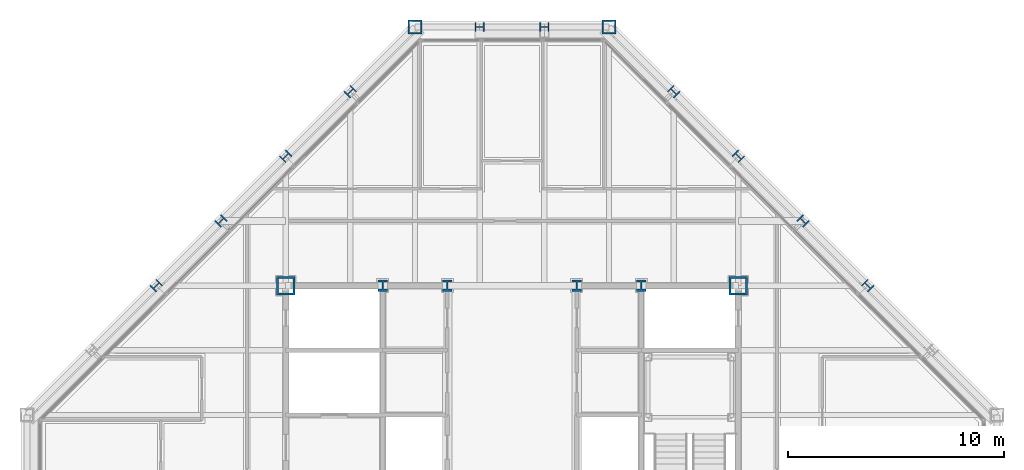
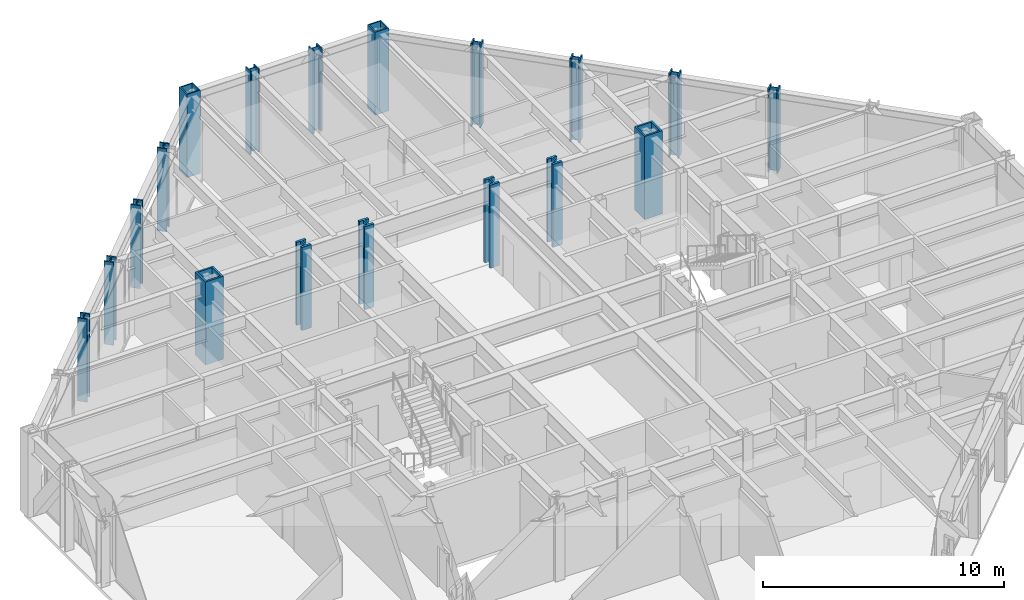
# One storey, part 4 of 15: 18 columns.
"""IFC4 building model written with IfcOpenShell, lengths in metres."""

from ifc_helpers import new_model, si_unit, direction, frame, origin, origin_2d, place, context, subcontext, project, spatial, hollow_rectangle, i_section, extrude, material, material_profile, profile_set, type_object, element, save


model = new_model("IFC4")

# Units and contexts
model_context = context("Model", 3, precision=1e-05, world=origin(), true_north=direction((0.0, 1.0)))
body_context = subcontext(model_context, "Body", "Model", "MODEL_VIEW")
ifc_project = project(units=[si_unit("LENGTHUNIT", "METRE"), si_unit("AREAUNIT", "SQUARE_METRE"), si_unit("VOLUMEUNIT", "CUBIC_METRE"), si_unit("PLANEANGLEUNIT", "RADIAN"), si_unit("MASSUNIT", "GRAM", prefix="KILO")], contexts=[model_context])

# Site, building, storey
site_placement = place(None, origin())
site = spatial("IfcSite", under=ifc_project, at=site_placement, CompositionType="ELEMENT")
building_placement = place(site_placement, origin())
building = spatial("IfcBuilding", under=site, at=building_placement, Name="Chuquiago Exchange Tower", CompositionType="ELEMENT")
storey_placement = place(building_placement, frame((0.0, 0.0, 266.39990234375)))
storey = spatial("IfcBuildingStorey", under=building, at=storey_placement, Name="L59", CompositionType="ELEMENT", Elevation=266.39990234375)

# Columns
ifc_material_1 = material(Name="Steel ASTM A992", Category="steel")
ifc_material_profile_1 = material_profile(ifc_material_1, i_section(OverallWidth=0.411376953125, OverallDepth=0.434326171875, WebThickness=0.035888671875, FlangeThickness=0.057373046875, at=origin_2d()), Name="W14X311")
ifc_profile_set_1 = profile_set([ifc_material_profile_1], Name="Steel ASTM A992")
column_type_1 = type_object("IfcColumnType", Name="C5 W14X311", PredefinedType="COLUMN", material=ifc_profile_set_1)
for number, where, z_axis, x_axis, name in (
    (1, (24.0, 45.0, 0.0), (0.0, 0.0, 1.0), (0.0, 1.0, 0.0), "COL-L59-24_45"),
    (2, (21.0, 45.0, 0.0), (0.0, 0.0, 1.0), (0.0, 1.0, 0.0), "COL-L59-21_45"),
):
    element("IfcColumn", number, at=place(storey_placement, frame(where, z_axis=z_axis, x_axis=x_axis)), inside=storey, type_object=column_type_1, Name=name, PredefinedType="COLUMN", context=body_context, shape_type="SweptSolid", body=[
        extrude(i_section(OverallWidth=0.411376953125, OverallDepth=0.434326171875, WebThickness=0.035888671875, FlangeThickness=0.057373046875, at=origin_2d()), origin(), (0.0, 0.0, 1.0), 4.2001953125),
    ])
ifc_material_2 = material(Name="Steel ASTM A992", Category="steel")
ifc_material_profile_2 = material_profile(ifc_material_2, i_section(OverallWidth=0.449462890625, OverallDepth=0.548583984375, WebThickness=0.07177734375, FlangeThickness=0.11474609375, at=origin_2d()), Name="W14X665")
ifc_profile_set_2 = profile_set([ifc_material_profile_2], Name="Steel ASTM A992")
column_type_2 = type_object("IfcColumnType", Name="CC5 W14X665", PredefinedType="COLUMN", material=ifc_profile_set_2)
for number, where, z_axis, x_axis, name in (
    (3, (16.5, 33.0, 0.0), (0.0, 0.0, 1.0), (1.0, 0.0, 0.0), "CCOL-L59-16.5_33"),
    (4, (19.5, 33.0, 0.0), (0.0, 0.0, 1.0), (1.0, 0.0, 0.0), "CCOL-L59-19.5_33"),
    (5, (25.5, 33.0, 0.0), (0.0, 0.0, 1.0), (1.0, 0.0, 0.0), "CCOL-L59-25.5_33"),
    (6, (28.5, 33.0, 0.0), (0.0, 0.0, 1.0), (1.0, 0.0, 0.0), "CCOL-L59-28.5_33"),
):
    element("IfcColumn", number, at=place(storey_placement, frame(where, z_axis=z_axis, x_axis=x_axis)), inside=storey, type_object=column_type_2, Name=name, PredefinedType="COLUMN", context=body_context, shape_type="SweptSolid", body=[
        extrude(i_section(OverallWidth=0.449462890625, OverallDepth=0.548583984375, WebThickness=0.07177734375, FlangeThickness=0.11474609375, at=origin_2d()), origin(), (0.0, 0.0, 1.0), 4.2001953125),
    ])
ifc_material_3 = material(Name="Steel ASTM A572 Grade 50", Category="steel")
ifc_material_profile_3 = material_profile(ifc_material_3, hollow_rectangle(XDim=0.85009765625, YDim=0.85009765625, WallThickness=0.0849609375, at=origin_2d()), Name="BOX850X850X85")
ifc_profile_set_3 = profile_set([ifc_material_profile_3], Name="Steel ASTM A572 Grade 50")
column_type_3 = type_object("IfcColumnType", Name="CC6 BOX850X850X85", PredefinedType="COLUMN", material=ifc_profile_set_3)
for number, where, z_axis, x_axis, name in (
    (7, (12.0, 33.0, 0.0), (0.0, 0.0, 1.0), (1.0, 0.0, 0.0), "CCOL-L59-12_33"),
    (8, (33.0, 33.0, 0.0), (0.0, 0.0, 1.0), (1.0, 0.0, 0.0), "CCOL-L59-33_33"),
):
    element("IfcColumn", number, at=place(storey_placement, frame(where, z_axis=z_axis, x_axis=x_axis)), inside=storey, type_object=column_type_3, Name=name, PredefinedType="COLUMN", context=body_context, shape_type="SweptSolid", body=[
        extrude(hollow_rectangle(XDim=0.85009765625, YDim=0.85009765625, WallThickness=0.0849609375, at=origin_2d()), origin(), (0.0, 0.0, 1.0), 4.2001953125),
    ])
ifc_material_4 = material(Name="Steel ASTM A992", Category="steel")
ifc_material_profile_4 = material_profile(ifc_material_4, i_section(OverallWidth=0.41650390625, OverallDepth=0.444580078125, WebThickness=0.0390625, FlangeThickness=0.062744140625, at=origin_2d()), Name="W14X342")
ifc_profile_set_4 = profile_set([ifc_material_profile_4], Name="Steel ASTM A992")
column_type_4 = type_object("IfcColumnType", Name="CK5 W14X342", PredefinedType="COLUMN", material=ifc_profile_set_4)
for number, where, z_axis, x_axis, name in (
    (9, (39.0, 33.0, 0.0), (0.0, 0.0, 1.0), (0.707106781187, 0.707106781187, 0.0), "COL-L59-39_33"),
    (10, (36.0, 36.0, 0.0), (0.0, 0.0, 1.0), (0.707106781187, 0.707106781187, 0.0), "COL-L59-36_36"),
    (11, (33.0, 39.0, 0.0), (0.0, 0.0, 1.0), (0.707106781187, 0.707106781187, 0.0), "COL-L59-33_39"),
    (12, (30.0, 42.0, 0.0), (0.0, 0.0, 1.0), (0.707106781187, 0.707106781187, 0.0), "COL-L59-30_42"),
    (13, (15.0, 42.0, 0.0), (0.0, 0.0, 1.0), (-0.707106781187, 0.707106781187, 0.0), "COL-L59-15_42"),
    (14, (12.0, 39.0, 0.0), (0.0, 0.0, 1.0), (-0.707106781187, 0.707106781187, 0.0), "COL-L59-12_39"),
    (15, (9.0, 36.0, 0.0), (0.0, 0.0, 1.0), (-0.707106781187, 0.707106781187, 0.0), "COL-L59-9_36"),
    (16, (6.0, 33.0, 0.0), (0.0, 0.0, 1.0), (-0.707106781187, 0.707106781187, 0.0), "COL-L59-6_33"),
):
    element("IfcColumn", number, at=place(storey_placement, frame(where, z_axis=z_axis, x_axis=x_axis)), inside=storey, type_object=column_type_4, Name=name, PredefinedType="COLUMN", context=body_context, shape_type="SweptSolid", body=[
        extrude(i_section(OverallWidth=0.41650390625, OverallDepth=0.444580078125, WebThickness=0.0390625, FlangeThickness=0.062744140625, at=origin_2d()), origin(), (0.0, 0.0, 1.0), 4.2001953125),
    ])
ifc_material_5 = material(Name="Steel ASTM A572 Grade 50", Category="steel")
ifc_material_profile_5 = material_profile(ifc_material_5, hollow_rectangle(XDim=0.64990234375, YDim=0.64990234375, WallThickness=0.06494140625, at=origin_2d()), Name="BOX650X650X65")
ifc_profile_set_5 = profile_set([ifc_material_profile_5], Name="Steel ASTM A572 Grade 50")
column_type_5 = type_object("IfcColumnType", Name="CN2 BOX650X650X65", PredefinedType="COLUMN", material=ifc_profile_set_5)
for number, where, z_axis, x_axis, name in (
    (17, (27.0, 45.0, 0.0), (0.0, 0.0, 1.0), (0.0, 1.0, 0.0), "COL-L59-27_45"),
    (18, (18.0, 45.0, 0.0), (0.0, 0.0, 1.0), (0.0, 1.0, 0.0), "COL-L59-18_45"),
):
    element("IfcColumn", number, at=place(storey_placement, frame(where, z_axis=z_axis, x_axis=x_axis)), inside=storey, type_object=column_type_5, Name=name, PredefinedType="COLUMN", context=body_context, shape_type="SweptSolid", body=[
        extrude(hollow_rectangle(XDim=0.64990234375, YDim=0.64990234375, WallThickness=0.06494140625, at=origin_2d()), origin(), (0.0, 0.0, 1.0), 4.2001953125),
    ])

save(model, "model.ifc")
